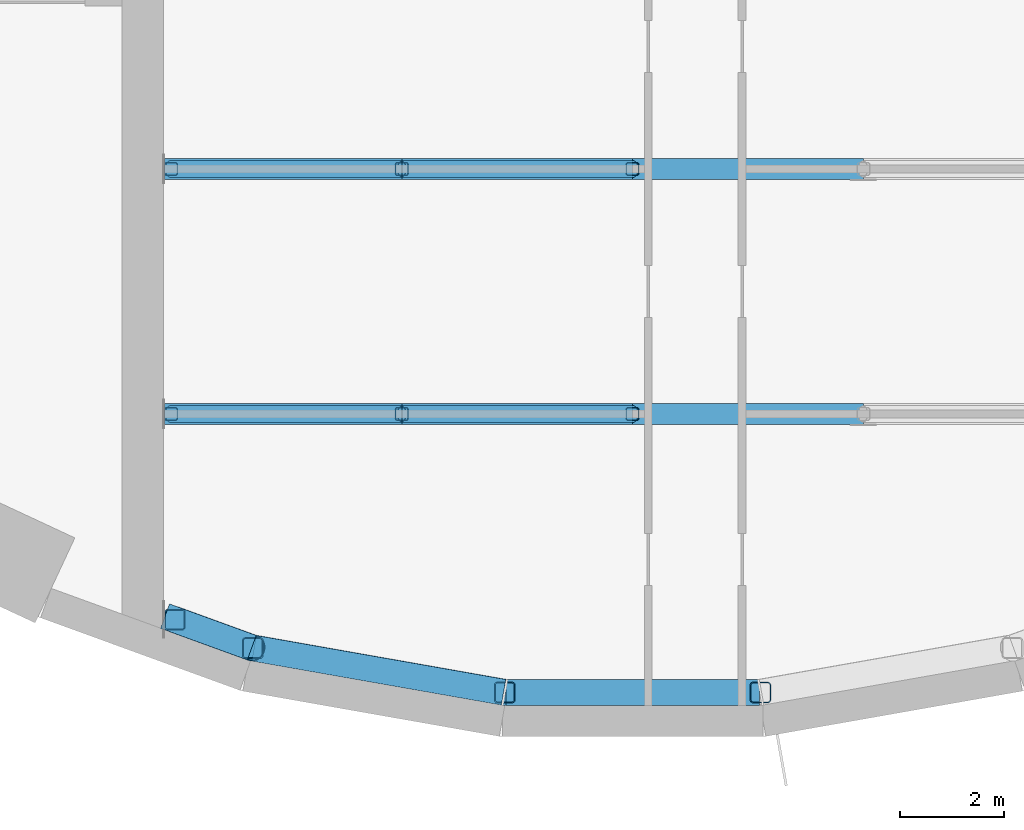
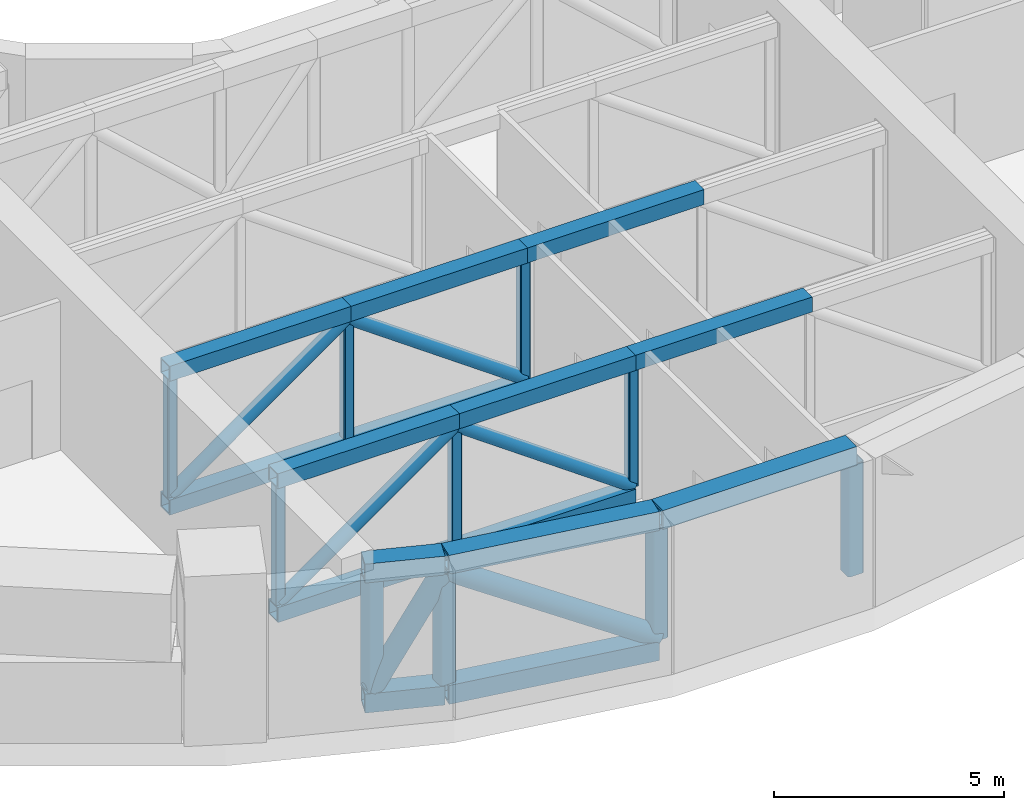
# One storey, part 2 of 21: 31 members.
"""IFC4 building model written with IfcOpenShell, lengths in metres."""

from ifc_helpers import new_model, si_unit, direction, frame, origin, origin_2d, place, context, subcontext, project, spatial, hollow_rectangle, hollow_circle, extrude, material, material_profile, profile_set, type_object, element, save


model = new_model("IFC4")

# Units and contexts
model_context = context("Model", 3, precision=1e-05, world=origin(), true_north=direction((0.0, 1.0)))
body_context = subcontext(model_context, "Body", "Model", "MODEL_VIEW")
ifc_project = project(units=[si_unit("LENGTHUNIT", "METRE"), si_unit("AREAUNIT", "SQUARE_METRE"), si_unit("VOLUMEUNIT", "CUBIC_METRE"), si_unit("PLANEANGLEUNIT", "RADIAN"), si_unit("MASSUNIT", "GRAM", prefix="KILO")], contexts=[model_context])

# Site, building, storey
site_placement = place(None, origin())
site = spatial("IfcSite", under=ifc_project, at=site_placement, CompositionType="ELEMENT")
building_placement = place(site_placement, origin())
building = spatial("IfcBuilding", under=site, at=building_placement, Name="Saqina Gate Tower", CompositionType="ELEMENT")
storey_placement = place(building_placement, frame((0.0, 0.0, 21.800048828125)))
storey = spatial("IfcBuildingStorey", under=building, at=storey_placement, Name="L05", CompositionType="ELEMENT", Elevation=21.800048828125)

# Members
ifc_material_1 = material(Name="Steel S460", Category="steel")
ifc_material_profile_1 = material_profile(ifc_material_1, hollow_rectangle(XDim=0.39990234375, YDim=0.39990234375, WallThickness=0.030029296875, at=origin_2d()), Name="BOX 400x400x30")
ifc_profile_set_1 = profile_set([ifc_material_profile_1], Name="Steel S460")
member_type_1 = type_object("IfcMemberType", Name="STR-TRANSFER TRUSS CHORD-BOX 400x400x30", PredefinedType="CHORD", material=ifc_profile_set_1)
for number, where, z_axis, x_axis, name in (
    (1, (-8.98193359375, -18.0, 0.199951171875), (1.0, 0.0, 0.0), (0.0, 1.0, 0.0), "TRANSFER TRUSS CHORD 130"),
    (2, (-8.98193359375, -18.0, 3.75), (1.0, 0.0, 0.0), (0.0, 1.0, 0.0), "TRANSFER TRUSS CHORD 131"),
):
    element("IfcMember", number, at=place(storey_placement, frame(where, z_axis=z_axis, x_axis=x_axis)), inside=storey, type_object=member_type_1, Name=name, PredefinedType="CHORD", context=body_context, shape_type="SweptSolid", body=[
        extrude(hollow_rectangle(XDim=0.39990234375, YDim=0.39990234375, WallThickness=0.030029296875, at=origin_2d()), origin(), (0.0, 0.0, 1.0), 4.553466796875),
    ])
for number, where, z_axis, x_axis, name in (
    (3, (-4.428466796875, -18.0, 0.199951171875), (1.0, 0.0, 0.0), (0.0, 1.0, 0.0), "TRANSFER TRUSS CHORD 133"),
    (4, (-4.428466796875, -18.0, 3.75), (1.0, 0.0, 0.0), (0.0, 1.0, 0.0), "TRANSFER TRUSS CHORD 134"),
    (5, (0.0, -18.0, 3.75), (1.0, 0.0, 0.0), (0.0, 1.0, 0.0), "TRANSFER TRUSS CHORD 136"),
):
    element("IfcMember", number, at=place(storey_placement, frame(where, z_axis=z_axis, x_axis=x_axis)), inside=storey, type_object=member_type_1, Name=name, PredefinedType="CHORD", context=body_context, shape_type="SweptSolid", body=[
        extrude(hollow_rectangle(XDim=0.39990234375, YDim=0.39990234375, WallThickness=0.030029296875, at=origin_2d()), origin(), (0.0, 0.0, 1.0), 4.428466796875),
    ])
for number, where, z_axis, x_axis, name in (
    (6, (-8.98193359375, -22.699951171875, 0.199951171875), (1.0, 0.0, 0.0), (0.0, 1.0, 0.0), "TRANSFER TRUSS CHORD 160"),
    (7, (-8.98193359375, -22.699951171875, 3.75), (1.0, 0.0, 0.0), (0.0, 1.0, 0.0), "TRANSFER TRUSS CHORD 161"),
):
    element("IfcMember", number, at=place(storey_placement, frame(where, z_axis=z_axis, x_axis=x_axis)), inside=storey, type_object=member_type_1, Name=name, PredefinedType="CHORD", context=body_context, shape_type="SweptSolid", body=[
        extrude(hollow_rectangle(XDim=0.39990234375, YDim=0.39990234375, WallThickness=0.030029296875, at=origin_2d()), origin(), (0.0, 0.0, 1.0), 4.553466796875),
    ])
for number, where, z_axis, x_axis, name in (
    (8, (-4.428466796875, -22.699951171875, 0.199951171875), (1.0, 0.0, 0.0), (0.0, 1.0, 0.0), "TRANSFER TRUSS CHORD 163"),
    (9, (-4.428466796875, -22.699951171875, 3.75), (1.0, 0.0, 0.0), (0.0, 1.0, 0.0), "TRANSFER TRUSS CHORD 164"),
    (10, (0.0, -22.699951171875, 3.75), (1.0, 0.0, 0.0), (0.0, 1.0, 0.0), "TRANSFER TRUSS CHORD 166"),
):
    element("IfcMember", number, at=place(storey_placement, frame(where, z_axis=z_axis, x_axis=x_axis)), inside=storey, type_object=member_type_1, Name=name, PredefinedType="CHORD", context=body_context, shape_type="SweptSolid", body=[
        extrude(hollow_rectangle(XDim=0.39990234375, YDim=0.39990234375, WallThickness=0.030029296875, at=origin_2d()), origin(), (0.0, 0.0, 1.0), 4.428466796875),
    ])
ifc_material_2 = material(Name="Steel S460", Category="steel")
ifc_material_profile_2 = material_profile(ifc_material_2, hollow_rectangle(XDim=0.5, YDim=0.5, WallThickness=0.06005859375, at=origin_2d()), Name="BOX 500x500x60")
ifc_profile_set_2 = profile_set([ifc_material_profile_2], Name="Steel S460")
member_type_2 = type_object("IfcMemberType", Name="STR-TRANSFER TRUSS CHORD-BOX 500x500x60", PredefinedType="CHORD", material=ifc_profile_set_2)
for number, where, z_axis, x_axis, name in (
    (11, (-8.969970703125, -26.577880859375, 0.25), (0.939696750513, -0.342008796782, 0.0), (0.342008796782, 0.939696750513, 0.0), "TRANSFER TRUSS CHORD 020"),
    (12, (-8.969970703125, -26.577880859375, 3.699951171875), (0.939696750513, -0.342008796782, 0.0), (0.342008796782, 0.939696750513, 0.0), "TRANSFER TRUSS CHORD 021"),
):
    element("IfcMember", number, at=place(storey_placement, frame(where, z_axis=z_axis, x_axis=x_axis)), inside=storey, type_object=member_type_2, Name=name, PredefinedType="CHORD", context=body_context, shape_type="SweptSolid", body=[
        extrude(hollow_rectangle(XDim=0.5, YDim=0.5, WallThickness=0.06005859375, at=origin_2d()), origin(), (0.0, 0.0, 1.0), 1.770263671875),
    ])
for number, where, z_axis, x_axis, name in (
    (13, (-7.26416015625, -27.194580078125, 0.25), (0.984807807789, -0.17364786701, 0.0), (0.17364786701, 0.984807807789, 0.0), "TRANSFER TRUSS CHORD 023"),
    (14, (-7.26416015625, -27.194580078125, 3.699951171875), (0.984807807789, -0.17364786701, 0.0), (0.17364786701, 0.984807807789, 0.0), "TRANSFER TRUSS CHORD 024"),
    (15, (-2.431640625, -28.04296875, 3.699951171875), (1.0, 0.0, 0.0), (0.0, 1.0, 0.0), "TRANSFER TRUSS CHORD 026"),
):
    element("IfcMember", number, at=place(storey_placement, frame(where, z_axis=z_axis, x_axis=x_axis)), inside=storey, type_object=member_type_2, Name=name, PredefinedType="CHORD", context=body_context, shape_type="SweptSolid", body=[
        extrude(hollow_rectangle(XDim=0.5, YDim=0.5, WallThickness=0.06005859375, at=origin_2d()), origin(), (0.0, 0.0, 1.0), 4.86328125),
    ])
ifc_material_3 = material(Name="Steel S460", Category="steel")
ifc_material_profile_3 = material_profile(ifc_material_3, hollow_circle(Radius=0.161865234375, WallThickness=0.012451171875, at=origin_2d()), Name="CHS 323.9x12.5")
ifc_profile_set_3 = profile_set([ifc_material_profile_3], Name="Steel S460")
member_type_3 = type_object("IfcMemberType", Name="STR-TRANSFER TRUSS DIAGONAL-CHS 323.9x12.5", PredefinedType="BRACE", material=ifc_profile_set_3)
for number, where, z_axis, x_axis, name in (
    (16, (-8.86669921875, -18.0, 0.39306640625), (0.814886313503, 0.0, 0.579620820939), (0.0, 1.0, 0.0), "TRANSFER TRUSS DIAGONAL 132"),
    (17, (-4.438232421875, -18.0, 3.556884765625), (0.814886313503, 0.0, -0.579620820939), (0.0, 1.0, 0.0), "TRANSFER TRUSS DIAGONAL 135"),
    (18, (-8.86669921875, -22.699951171875, 0.39306640625), (0.814886313503, 0.0, 0.579620820939), (0.0, 1.0, 0.0), "TRANSFER TRUSS DIAGONAL 162"),
    (19, (-4.438232421875, -22.699951171875, 3.556884765625), (0.814886313503, 0.0, -0.579620820939), (0.0, 1.0, 0.0), "TRANSFER TRUSS DIAGONAL 165"),
):
    element("IfcMember", number, at=place(storey_placement, frame(where, z_axis=z_axis, x_axis=x_axis)), inside=storey, type_object=member_type_3, Name=name, PredefinedType="BRACE", context=body_context, shape_type="SweptSolid", body=[
        extrude(hollow_circle(Radius=0.161865234375, WallThickness=0.012451171875, at=origin_2d()), origin(), (0.0, 0.0, 1.0), 5.45849609375),
    ])
ifc_material_4 = material(Name="Steel S460", Category="steel")
ifc_material_profile_4 = material_profile(ifc_material_4, hollow_circle(Radius=0.25390625, WallThickness=0.02001953125, at=origin_2d()), Name="CHS 508x20")
ifc_profile_set_4 = profile_set([ifc_material_profile_4], Name="Steel S460")
member_type_4 = type_object("IfcMemberType", Name="STR-TRANSFER TRUSS DIAGONAL-CHS 508x20", PredefinedType="BRACE", material=ifc_profile_set_4)
member_1_placement = place(storey_placement, frame((-8.787353515625, -26.644287109375, 0.489501953125), z_axis=(0.446324920823, -0.162490618453, 0.879994809057), x_axis=(0.342097539389, 0.939664447313, 0.0)))
element("IfcMember", 20, at=member_1_placement, inside=storey, type_object=member_type_4, Name="TRANSFER TRUSS DIAGONAL 022", PredefinedType="BRACE", context=body_context, shape_type="SweptSolid", body=[
    extrude(hollow_circle(Radius=0.25390625, WallThickness=0.02001953125, at=origin_2d()), origin(), (0.0, 0.0, 1.0), 3.3759765625),
])
member_2_placement = place(storey_placement, frame((-7.2958984375, -27.18896484375, 3.4560546875), z_axis=(0.844012922189, -0.148836048112, -0.515257234748), x_axis=(0.173663791707, 0.984804999708, 0.0)))
element("IfcMember", 21, at=member_2_placement, inside=storey, type_object=member_type_4, Name="TRANSFER TRUSS DIAGONAL 025", PredefinedType="BRACE", context=body_context, shape_type="SweptSolid", body=[
    extrude(hollow_circle(Radius=0.25390625, WallThickness=0.02001953125, at=origin_2d()), origin(), (0.0, 0.0, 1.0), 5.749267578125),
])
ifc_material_5 = material(Name="Steel S460", Category="steel")
ifc_material_profile_5 = material_profile(ifc_material_5, hollow_rectangle(XDim=0.25, YDim=0.25, WallThickness=0.012451171875, InnerFilletRadius=0.02490234375, OuterFilletRadius=0.03759765625, at=origin_2d()), Name="SHS 250x250x12.5")
ifc_profile_set_5 = profile_set([ifc_material_profile_5], Name="Steel S460")
member_type_5 = type_object("IfcMemberType", Name="STR-TRANSFER TRUSS POST-SHS 250x250x12.5", PredefinedType="POST", material=ifc_profile_set_5)
for number, where, z_axis, x_axis, name in (
    (22, (-8.85693359375, -18.0, 0.39990234375), (0.0, 0.0, 1.0), (1.0, 0.0, 0.0), "TRANSFER TRUSS POST 140"),
    (23, (-4.428466796875, -18.0, 0.39990234375), (0.0, 0.0, 1.0), (1.0, 0.0, 0.0), "TRANSFER TRUSS POST 141"),
    (24, (0.0, -18.0, 0.39990234375), (0.0, 0.0, 1.0), (1.0, 0.0, 0.0), "TRANSFER TRUSS POST 142"),
    (25, (-8.85693359375, -22.699951171875, 0.39990234375), (0.0, 0.0, 1.0), (1.0, 0.0, 0.0), "TRANSFER TRUSS POST 170"),
    (26, (-4.428466796875, -22.699951171875, 0.39990234375), (0.0, 0.0, 1.0), (1.0, 0.0, 0.0), "TRANSFER TRUSS POST 171"),
    (27, (0.0, -22.699951171875, 0.39990234375), (0.0, 0.0, 1.0), (1.0, 0.0, 0.0), "TRANSFER TRUSS POST 172"),
):
    element("IfcMember", number, at=place(storey_placement, frame(where, z_axis=z_axis, x_axis=x_axis)), inside=storey, type_object=member_type_5, Name=name, PredefinedType="POST", context=body_context, shape_type="SweptSolid", body=[
        extrude(hollow_rectangle(XDim=0.25, YDim=0.25, WallThickness=0.012451171875, InnerFilletRadius=0.02490234375, OuterFilletRadius=0.03759765625, at=origin_2d()), origin(), (0.0, 0.0, 1.0), 3.150146484375),
    ])
ifc_material_6 = material(Name="Steel S460", Category="steel")
ifc_material_profile_6 = material_profile(ifc_material_6, hollow_rectangle(XDim=0.39990234375, YDim=0.39990234375, WallThickness=0.02001953125, InnerFilletRadius=0.0400390625, OuterFilletRadius=0.06005859375, at=origin_2d()), Name="SHS 400x400x20")
ifc_profile_set_6 = profile_set([ifc_material_profile_6], Name="Steel S460")
member_type_6 = type_object("IfcMemberType", Name="STR-TRANSFER TRUSS POST-SHS 400x400x20", PredefinedType="POST", material=ifc_profile_set_6)
for number, where, z_axis, x_axis, name in (
    (28, (-8.781982421875, -26.646240234375, 0.5), (0.0, 0.0, 1.0), (1.0, 0.0, 0.0), "TRANSFER TRUSS POST 033"),
    (29, (-7.28564453125, -27.19091796875, 0.5), (0.0, 0.0, 1.0), (1.0, 0.0, 0.0), "TRANSFER TRUSS POST 034"),
    (30, (-2.453369140625, -28.04296875, 0.5), (0.0, 0.0, 1.0), (1.0, 0.0, 0.0), "TRANSFER TRUSS POST 035"),
    (31, (2.453369140625, -28.04296875, 0.5), (0.0, 0.0, 1.0), (1.0, 0.0, 0.0), "TRANSFER TRUSS POST 036"),
):
    element("IfcMember", number, at=place(storey_placement, frame(where, z_axis=z_axis, x_axis=x_axis)), inside=storey, type_object=member_type_6, Name=name, PredefinedType="POST", context=body_context, shape_type="SweptSolid", body=[
        extrude(hollow_rectangle(XDim=0.39990234375, YDim=0.39990234375, WallThickness=0.02001953125, InnerFilletRadius=0.0400390625, OuterFilletRadius=0.06005859375, at=origin_2d()), origin(), (0.0, 0.0, 1.0), 2.949951171875),
    ])

save(model, "model.ifc")
